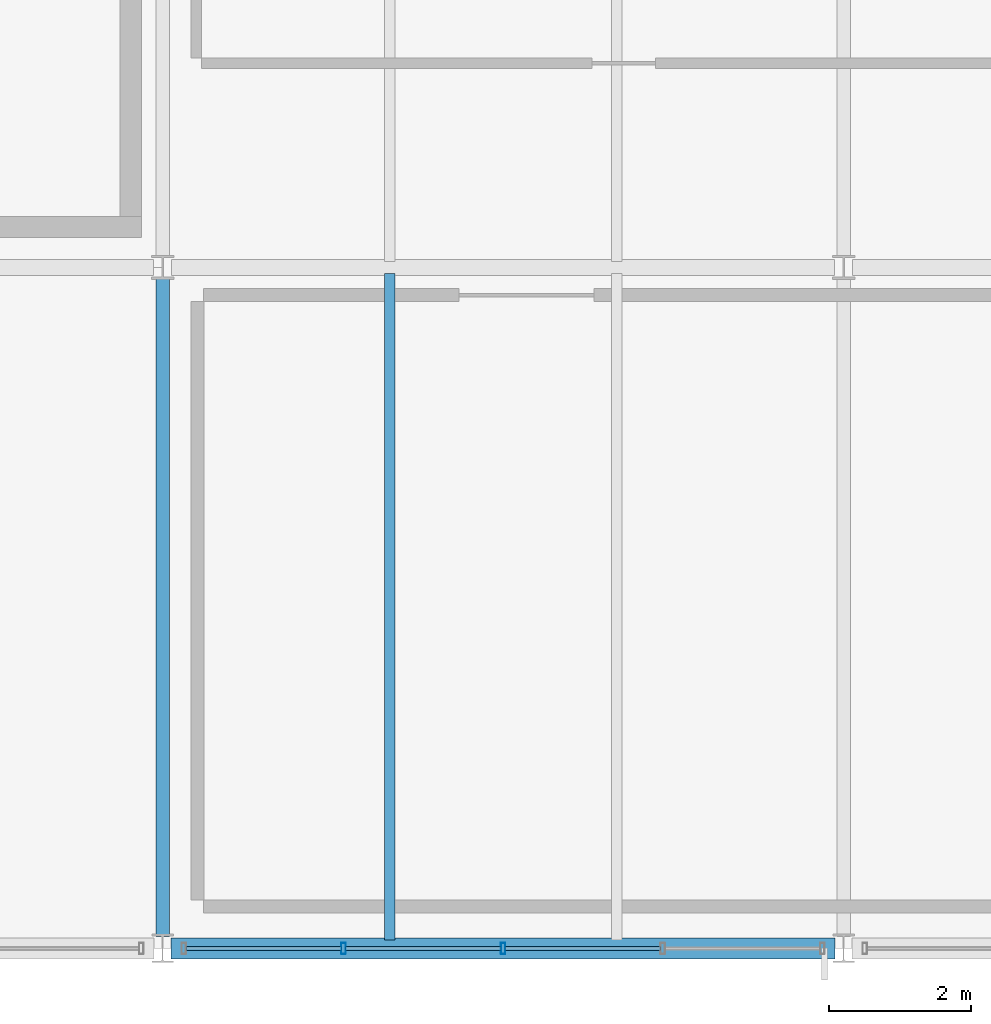
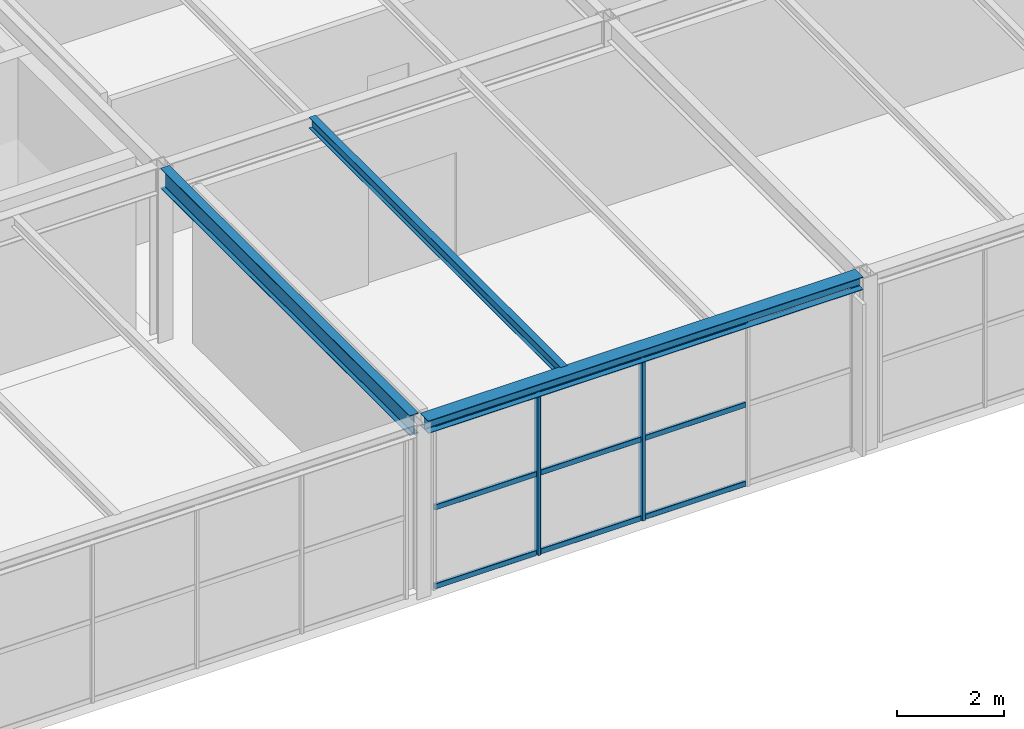
# One storey, part 28 of 126: 11 members, 3 beams, 1 element without a shape of its own.
"""IFC4 building model written with IfcOpenShell, lengths in metres."""

from ifc_helpers import new_model, si_unit, direction, frame, origin, origin_2d, place, context, subcontext, project, spatial, hollow_rectangle, i_section, extrude, material, material_profile, profile_set, type_object, element, aggregate, save


model = new_model("IFC4")

# Units and contexts
model_context = context("Model", 3, precision=1e-05, world=origin(), true_north=direction((0.0, 1.0)))
body_context = subcontext(model_context, "Body", "Model", "MODEL_VIEW")
ifc_project = project(units=[si_unit("LENGTHUNIT", "METRE"), si_unit("AREAUNIT", "SQUARE_METRE"), si_unit("VOLUMEUNIT", "CUBIC_METRE"), si_unit("PLANEANGLEUNIT", "RADIAN"), si_unit("MASSUNIT", "GRAM", prefix="KILO")], contexts=[model_context])

# Site, building, storey
site_placement = place(None, origin())
site = spatial("IfcSite", under=ifc_project, at=site_placement, CompositionType="ELEMENT")
building_placement = place(site_placement, origin())
building = spatial("IfcBuilding", under=site, at=building_placement, Name="Coralgate Yard Interchange", CompositionType="ELEMENT")
storey_placement = place(building_placement, frame((0.0, 0.0, 10.5)))
storey = spatial("IfcBuildingStorey", under=building, at=storey_placement, Name="L02", CompositionType="ELEMENT", Elevation=10.5)

# Beams
ifc_material_1 = material(Name="Structural steel S355J2", Category="steel")
ifc_material_profile_1 = material_profile(ifc_material_1, i_section(OverallWidth=0.1904296875, OverallDepth=0.45703125, WebThickness=0.009033203125, FlangeThickness=0.014404296875, FilletRadius=0.01025390625, at=origin_2d()), Name="UB 457x191x74")
ifc_profile_set_1 = profile_set([ifc_material_profile_1], Name="Structural steel S355J2")
beam_type_1 = type_object("IfcBeamType", Name="BM-SB-2", PredefinedType="BEAM", material=ifc_profile_set_1)
beam_1_placement = place(storey_placement, frame((57.60009765625, 0.169921875, 3.721435546875), z_axis=(0.0, 1.0, 0.0), x_axis=(-1.0, 0.0, 0.0)))
element("IfcBeam", 1, at=beam_1_placement, inside=storey, type_object=beam_type_1, Name="L02 primary grid girder X6 Y0-1", PredefinedType="BEAM", context=body_context, shape_type="SweptSolid", body=[
    extrude(i_section(OverallWidth=0.1904296875, OverallDepth=0.45703125, WebThickness=0.009033203125, FlangeThickness=0.014404296875, FilletRadius=0.01025390625, at=origin_2d()), origin(), (0.0, 0.0, 1.0), 9.2900390625),
])
ifc_material_profile_2 = material_profile(ifc_material_1, i_section(OverallWidth=0.14599609375, OverallDepth=0.25146484375, WebThickness=0.006103515625, FlangeThickness=0.008544921875, FilletRadius=0.007568359375, at=origin_2d()), Name="UB 254x146x31")
ifc_profile_set_2 = profile_set([ifc_material_profile_2], Name="Structural steel S355J2")
beam_type_2 = type_object("IfcBeamType", Name="BM-SJ-2", PredefinedType="JOIST", material=ifc_profile_set_2)
beam_2_placement = place(storey_placement, frame((60.800048828125, 0.1201171875, 3.82421875), z_axis=(0.0, 1.0, 0.0), x_axis=(-1.0, 0.0, 0.0)))
element("IfcBeam", 2, at=beam_2_placement, inside=storey, type_object=beam_type_2, Name="L02 composite floor joist 6-0-1", PredefinedType="JOIST", context=body_context, shape_type="SweptSolid", body=[
    extrude(i_section(OverallWidth=0.14599609375, OverallDepth=0.25146484375, WebThickness=0.006103515625, FlangeThickness=0.008544921875, FilletRadius=0.007568359375, at=origin_2d()), origin(), (0.0, 0.0, 1.0), 9.395751953125),
])
ifc_material_profile_3 = material_profile(ifc_material_1, i_section(OverallWidth=0.300048828125, OverallDepth=0.2900390625, WebThickness=0.008544921875, FlangeThickness=0.013916015625, FilletRadius=0.027099609375, at=origin_2d()), Name="HEA 300")
ifc_profile_set_3 = profile_set([ifc_material_profile_3], Name="Structural steel S355J2")
beam_type_3 = type_object("IfcBeamType", Name="BM-SP-2", PredefinedType="SPANDREL", material=ifc_profile_set_3)
beam_3_placement = place(storey_placement, frame((57.719970703125, 0.0, 3.804931640625), z_axis=(1.0, 0.0, 0.0), x_axis=(0.0, 1.0, 0.0)))
element("IfcBeam", 3, at=beam_3_placement, inside=storey, type_object=beam_type_3, Name="L02 primary grid beam Y0 X6-7", PredefinedType="SPANDREL", context=body_context, shape_type="SweptSolid", body=[
    extrude(i_section(OverallWidth=0.300048828125, OverallDepth=0.2900390625, WebThickness=0.008544921875, FlangeThickness=0.013916015625, FilletRadius=0.027099609375, at=origin_2d()), origin(), (0.0, 0.0, 1.0), 9.360107421875),
])

# Curtain wall, members
ifc_material_2 = material(Name="Anodised coastal aluminium and solar-control low-E glass", Category="aluminium")
curtain_wall_type = type_object("IfcCurtainWallType", Name="CW-CW-L02-A", PredefinedType="NOTDEFINED", material=ifc_material_2)
curtain_wall_placement = place(storey_placement, origin())
curtain_wall = element("IfcCurtainWall", 4, at=curtain_wall_placement, inside=storey, type_object=curtain_wall_type, Name="L02 unitised curtain wall CW-L02-S-06-00", PredefinedType="NOTDEFINED")
ifc_material_3 = material(Name="Anodised coastal aluminium 6063-T6", Category="aluminium")
ifc_material_profile_4 = material_profile(ifc_material_3, hollow_rectangle(XDim=0.06494140625, YDim=0.159912109375, WallThickness=0.00390625, InnerFilletRadius=0.00390625, OuterFilletRadius=0.008056640625, at=origin_2d()), Name="ALU 65x160x4")
ifc_profile_set_4 = profile_set([ifc_material_profile_4], Name="Anodised coastal aluminium 6063-T6")
member_type_1 = type_object("IfcMemberType", Name="MB-MUL-160", PredefinedType="MULLION", material=ifc_profile_set_4)
member_1_placement = place(storey_placement, frame((62.39990234375, 0.0, 0.0), z_axis=(0.0, 0.0, 1.0), x_axis=(1.0, 0.0, 0.0)))
member_1 = element("IfcMember", 5, at=member_1_placement, type_object=member_type_1, Name="CW-L02-S-06-00 vertical mullion 3", PredefinedType="MULLION", context=body_context, shape_type="SweptSolid", body=[
    extrude(hollow_rectangle(XDim=0.06494140625, YDim=0.159912109375, WallThickness=0.00390625, InnerFilletRadius=0.00390625, OuterFilletRadius=0.008056640625, at=origin_2d()), origin(), (0.0, 0.0, 1.0), 3.659912109375),
])
member_2_placement = place(storey_placement, frame((60.14990234375, 0.0, 0.0), z_axis=(0.0, 0.0, 1.0), x_axis=(1.0, 0.0, 0.0)))
member_2 = element("IfcMember", 6, at=member_2_placement, type_object=member_type_1, Name="CW-L02-S-06-00 vertical mullion 4", PredefinedType="MULLION", context=body_context, shape_type="SweptSolid", body=[
    extrude(hollow_rectangle(XDim=0.06494140625, YDim=0.159912109375, WallThickness=0.00390625, InnerFilletRadius=0.00390625, OuterFilletRadius=0.008056640625, at=origin_2d()), origin(), (0.0, 0.0, 1.0), 3.659912109375),
])
ifc_material_profile_5 = material_profile(ifc_material_3, hollow_rectangle(XDim=0.06005859375, YDim=0.1201171875, WallThickness=0.00341796875, InnerFilletRadius=0.00341796875, OuterFilletRadius=0.007080078125, at=origin_2d()), Name="ALU 60x120x3.5")
ifc_profile_set_5 = profile_set([ifc_material_profile_5], Name="Anodised coastal aluminium 6063-T6")
member_type_2 = type_object("IfcMemberType", Name="MB-TRN-120", PredefinedType="USERDEFINED", material=ifc_profile_set_5)
member_3_placement = place(storey_placement, frame((64.6201171875, 0.0, 0.034912109375), z_axis=(-1.0, 0.0, 0.0), x_axis=(0.0, -1.0, 0.0)))
member_3 = element("IfcMember", 7, at=member_3_placement, type_object=member_type_2, Name="CW-L02-S-06-00 horizontal transom 2-1", ObjectType="TRANSOM", PredefinedType="USERDEFINED", context=body_context, shape_type="SweptSolid", body=[
    extrude(hollow_rectangle(XDim=0.06005859375, YDim=0.1201171875, WallThickness=0.00341796875, InnerFilletRadius=0.00341796875, OuterFilletRadius=0.007080078125, at=origin_2d()), origin(), (0.0, 0.0, 1.0), 2.190185546875),
])
member_4_placement = place(storey_placement, frame((64.6201171875, 0.0, 1.830078125), z_axis=(-1.0, 0.0, 0.0), x_axis=(0.0, -1.0, 0.0)))
member_4 = element("IfcMember", 8, at=member_4_placement, type_object=member_type_2, Name="CW-L02-S-06-00 horizontal transom 2-2", ObjectType="TRANSOM", PredefinedType="USERDEFINED", context=body_context, shape_type="SweptSolid", body=[
    extrude(hollow_rectangle(XDim=0.06005859375, YDim=0.1201171875, WallThickness=0.00341796875, InnerFilletRadius=0.00341796875, OuterFilletRadius=0.007080078125, at=origin_2d()), origin(), (0.0, 0.0, 1.0), 2.190185546875),
])
member_5_placement = place(storey_placement, frame((64.6201171875, 0.0, 3.625), z_axis=(-1.0, 0.0, 0.0), x_axis=(0.0, -1.0, 0.0)))
member_5 = element("IfcMember", 9, at=member_5_placement, type_object=member_type_2, Name="CW-L02-S-06-00 horizontal transom 2-3", ObjectType="TRANSOM", PredefinedType="USERDEFINED", context=body_context, shape_type="SweptSolid", body=[
    extrude(hollow_rectangle(XDim=0.06005859375, YDim=0.1201171875, WallThickness=0.00341796875, InnerFilletRadius=0.00341796875, OuterFilletRadius=0.007080078125, at=origin_2d()), origin(), (0.0, 0.0, 1.0), 2.190185546875),
])
member_6_placement = place(storey_placement, frame((62.3701171875, 0.0, 0.034912109375), z_axis=(-1.0, 0.0, 0.0), x_axis=(0.0, -1.0, 0.0)))
member_6 = element("IfcMember", 10, at=member_6_placement, type_object=member_type_2, Name="CW-L02-S-06-00 horizontal transom 3-1", ObjectType="TRANSOM", PredefinedType="USERDEFINED", context=body_context, shape_type="SweptSolid", body=[
    extrude(hollow_rectangle(XDim=0.06005859375, YDim=0.1201171875, WallThickness=0.00341796875, InnerFilletRadius=0.00341796875, OuterFilletRadius=0.007080078125, at=origin_2d()), origin(), (0.0, 0.0, 1.0), 2.190185546875),
])
member_7_placement = place(storey_placement, frame((62.3701171875, 0.0, 1.830078125), z_axis=(-1.0, 0.0, 0.0), x_axis=(0.0, -1.0, 0.0)))
member_7 = element("IfcMember", 11, at=member_7_placement, type_object=member_type_2, Name="CW-L02-S-06-00 horizontal transom 3-2", ObjectType="TRANSOM", PredefinedType="USERDEFINED", context=body_context, shape_type="SweptSolid", body=[
    extrude(hollow_rectangle(XDim=0.06005859375, YDim=0.1201171875, WallThickness=0.00341796875, InnerFilletRadius=0.00341796875, OuterFilletRadius=0.007080078125, at=origin_2d()), origin(), (0.0, 0.0, 1.0), 2.190185546875),
])
member_8_placement = place(storey_placement, frame((62.3701171875, 0.0, 3.625), z_axis=(-1.0, 0.0, 0.0), x_axis=(0.0, -1.0, 0.0)))
member_8 = element("IfcMember", 12, at=member_8_placement, type_object=member_type_2, Name="CW-L02-S-06-00 horizontal transom 3-3", ObjectType="TRANSOM", PredefinedType="USERDEFINED", context=body_context, shape_type="SweptSolid", body=[
    extrude(hollow_rectangle(XDim=0.06005859375, YDim=0.1201171875, WallThickness=0.00341796875, InnerFilletRadius=0.00341796875, OuterFilletRadius=0.007080078125, at=origin_2d()), origin(), (0.0, 0.0, 1.0), 2.190185546875),
])
member_9_placement = place(storey_placement, frame((60.1201171875, 0.0, 0.034912109375), z_axis=(-1.0, 0.0, 0.0), x_axis=(0.0, -1.0, 0.0)))
member_9 = element("IfcMember", 13, at=member_9_placement, type_object=member_type_2, Name="CW-L02-S-06-00 horizontal transom 4-1", ObjectType="TRANSOM", PredefinedType="USERDEFINED", context=body_context, shape_type="SweptSolid", body=[
    extrude(hollow_rectangle(XDim=0.06005859375, YDim=0.1201171875, WallThickness=0.00341796875, InnerFilletRadius=0.00341796875, OuterFilletRadius=0.007080078125, at=origin_2d()), origin(), (0.0, 0.0, 1.0), 2.190185546875),
])
member_10_placement = place(storey_placement, frame((60.1201171875, 0.0, 1.830078125), z_axis=(-1.0, 0.0, 0.0), x_axis=(0.0, -1.0, 0.0)))
member_10 = element("IfcMember", 14, at=member_10_placement, type_object=member_type_2, Name="CW-L02-S-06-00 horizontal transom 4-2", ObjectType="TRANSOM", PredefinedType="USERDEFINED", context=body_context, shape_type="SweptSolid", body=[
    extrude(hollow_rectangle(XDim=0.06005859375, YDim=0.1201171875, WallThickness=0.00341796875, InnerFilletRadius=0.00341796875, OuterFilletRadius=0.007080078125, at=origin_2d()), origin(), (0.0, 0.0, 1.0), 2.190185546875),
])
member_11_placement = place(storey_placement, frame((60.1201171875, 0.0, 3.625), z_axis=(-1.0, 0.0, 0.0), x_axis=(0.0, -1.0, 0.0)))
member_11 = element("IfcMember", 15, at=member_11_placement, type_object=member_type_2, Name="CW-L02-S-06-00 horizontal transom 4-3", ObjectType="TRANSOM", PredefinedType="USERDEFINED", context=body_context, shape_type="SweptSolid", body=[
    extrude(hollow_rectangle(XDim=0.06005859375, YDim=0.1201171875, WallThickness=0.00341796875, InnerFilletRadius=0.00341796875, OuterFilletRadius=0.007080078125, at=origin_2d()), origin(), (0.0, 0.0, 1.0), 2.190185546875),
])
aggregate(curtain_wall, [member_1, member_2, member_3, member_4, member_5, member_6, member_7, member_8, member_9, member_10, member_11])

save(model, "model.ifc")
